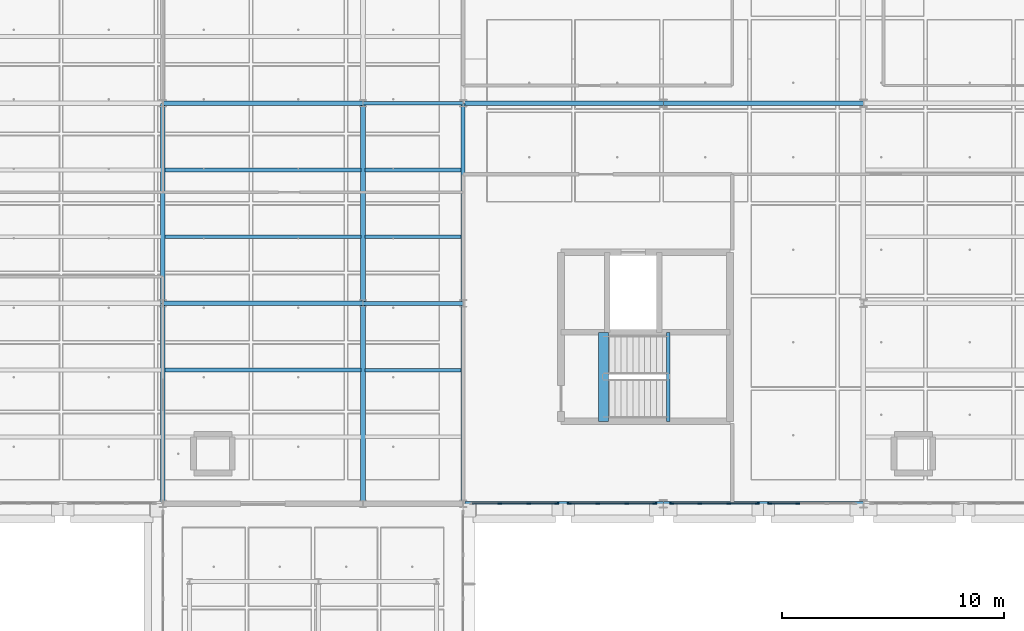
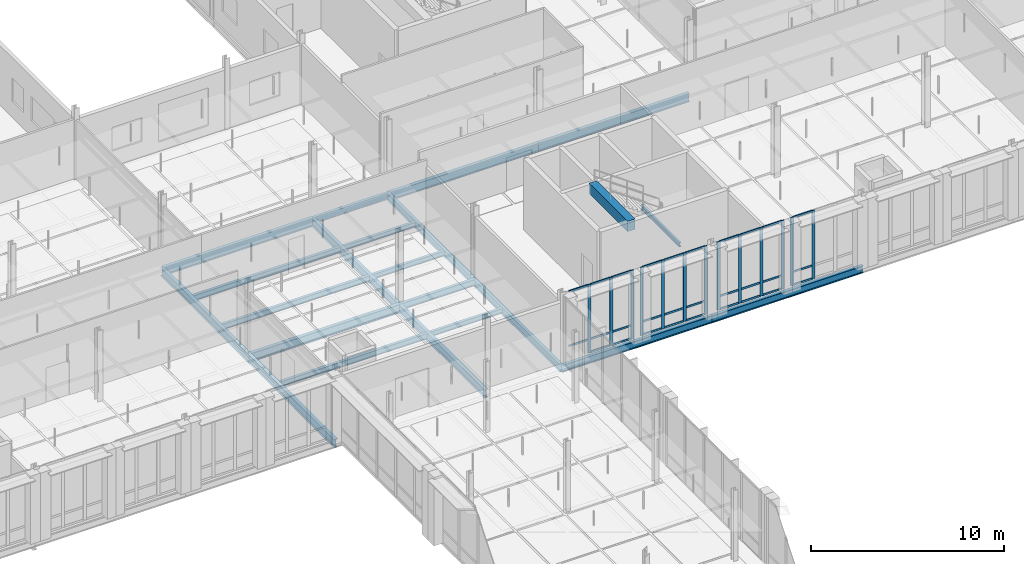
# One storey, part 40 of 130: 42 members, 22 beams, 4 elements without a shape of their own.
"""IFC4 building model written with IfcOpenShell, lengths in metres."""

from ifc_helpers import new_model, si_unit, direction, frame, origin, origin_2d, place, context, subcontext, project, spatial, rectangle, i_section, extrude, material, material_profile, profile_set, type_object, element, aggregate, save


model = new_model("IFC4")

# Units and contexts
model_context = context("Model", 3, precision=1e-05, world=origin(), true_north=direction((0.0, 1.0)))
body_context = subcontext(model_context, "Body", "Model", "MODEL_VIEW")
ifc_project = project(units=[si_unit("LENGTHUNIT", "METRE"), si_unit("AREAUNIT", "SQUARE_METRE"), si_unit("VOLUMEUNIT", "CUBIC_METRE"), si_unit("PLANEANGLEUNIT", "RADIAN"), si_unit("MASSUNIT", "GRAM", prefix="KILO"), si_unit("THERMODYNAMICTEMPERATUREUNIT", "KELVIN"), si_unit("POWERUNIT", "WATT")], contexts=[model_context])

# Site, building, storey
site_placement = place(None, origin())
site = spatial("IfcSite", under=ifc_project, at=site_placement, CompositionType="ELEMENT")
building_placement = place(site_placement, origin())
building = spatial("IfcBuilding", under=site, at=building_placement, Name="Tallowbark Science Centre", CompositionType="ELEMENT")
storey_placement = place(building_placement, frame((0.0, 0.0, 5.39990234375)))
storey = spatial("IfcBuildingStorey", under=building, at=storey_placement, Name="L01", CompositionType="ELEMENT", Elevation=5.39990234375)

# Beams
ifc_material_1 = material(Name="Concrete Grade N40 (40 MPa)", Category="concrete")
ifc_material_profile_1 = material_profile(ifc_material_1, rectangle(XDim=0.449951171875, YDim=0.64990234375, at=origin_2d()), Name="RC450x650")
ifc_profile_set_1 = profile_set([ifc_material_profile_1], Name="Concrete Grade N40 (40 MPa)")
beam_type_1 = type_object("IfcBeamType", Name="BM-GB2-N40", PredefinedType="BEAM", material=ifc_profile_set_1)
beam_1_placement = place(storey_placement, frame((118.81005859375, 75.699951171875, 4.175048828125), z_axis=(0.0, 1.0, 0.0), x_axis=(-1.0, 0.0, 0.0)))
element("IfcBeam", 1, at=beam_1_placement, inside=storey, type_object=beam_type_1, Name="Stair ST-02 Landing Nosing Beam L01", PredefinedType="BEAM", context=body_context, shape_type="SweptSolid", body=[
    extrude(rectangle(XDim=0.449951171875, YDim=0.64990234375, at=origin_2d()), origin(), (0.0, 0.0, 1.0), 3.9951171875),
])
ifc_material_2 = material(Name="Structural Steel Grade 300PLUS (300 MPa)", Category="steel")
ifc_material_profile_2 = material_profile(ifc_material_2, i_section(OverallWidth=0.177734375, OverallDepth=0.406494140625, WebThickness=0.0078125, FlangeThickness=0.0126953125, FilletRadius=0.011474609375, at=origin_2d()), Name="410UB59.7")
ifc_profile_set_2 = profile_set([ifc_material_profile_2], Name="Structural Steel Grade 300PLUS (300 MPa)")
beam_type_2 = type_object("IfcBeamType", Name="BM-UB410", PredefinedType="BEAM", material=ifc_profile_set_2)
for number, where, z_axis, x_axis, name in (
    (2, (108.0, 81.0, -0.383056640625), (1.0, 0.0, 0.0), (0.0, 1.0, 0.0), "Primary Girder GRDX-L01-1080-1125-810"),
    (3, (108.0, 90.0, -0.383056640625), (1.0, 0.0, 0.0), (0.0, 1.0, 0.0), "Primary Girder GRDX-L01-1080-1125-900"),
):
    element("IfcBeam", number, at=place(storey_placement, frame(where, z_axis=z_axis, x_axis=x_axis)), inside=storey, type_object=beam_type_2, Name=name, PredefinedType="BEAM", context=body_context, shape_type="SweptSolid", body=[
        extrude(i_section(OverallWidth=0.177734375, OverallDepth=0.406494140625, WebThickness=0.0078125, FlangeThickness=0.0126953125, FilletRadius=0.011474609375, at=origin_2d()), origin(), (0.0, 0.0, 1.0), 4.5),
    ])
ifc_material_profile_3 = material_profile(ifc_material_2, i_section(OverallWidth=0.208984375, OverallDepth=0.532958984375, WebThickness=0.01025390625, FlangeThickness=0.015625, FilletRadius=0.013916015625, at=origin_2d()), Name="530UB92.4")
ifc_profile_set_3 = profile_set([ifc_material_profile_3], Name="Structural Steel Grade 300PLUS (300 MPa)")
beam_type_3 = type_object("IfcBeamType", Name="BM-UB530A", PredefinedType="BEAM", material=ifc_profile_set_3)
for number, where, z_axis, x_axis, name in (
    (4, (99.0, 81.0, -0.4462890625), (1.0, 0.0, 0.0), (0.0, 1.0, 0.0), "Primary Girder GRDX-L01-990-1080-810"),
    (5, (99.0, 90.0, -0.4462890625), (1.0, 0.0, 0.0), (0.0, 1.0, 0.0), "Primary Girder GRDX-L01-990-1080-900"),
    (6, (112.5, 90.0, -0.4462890625), (1.0, 0.0, 0.0), (0.0, 1.0, 0.0), "Primary Girder GRDX-L01-1125-1215-900"),
    (7, (121.5, 90.0, -0.4462890625), (1.0, 0.0, 0.0), (0.0, 1.0, 0.0), "Primary Girder GRDX-L01-1215-1305-900"),
):
    element("IfcBeam", number, at=place(storey_placement, frame(where, z_axis=z_axis, x_axis=x_axis)), inside=storey, type_object=beam_type_3, Name=name, PredefinedType="BEAM", context=body_context, shape_type="SweptSolid", body=[
        extrude(i_section(OverallWidth=0.208984375, OverallDepth=0.532958984375, WebThickness=0.01025390625, FlangeThickness=0.015625, FilletRadius=0.013916015625, at=origin_2d()), origin(), (0.0, 0.0, 1.0), 9.0),
    ])
ifc_material_profile_4 = material_profile(ifc_material_2, i_section(OverallWidth=0.208740234375, OverallDepth=0.5283203125, WebThickness=0.009521484375, FlangeThickness=0.01318359375, FilletRadius=0.013916015625, at=origin_2d()), Name="530UB82.0")
ifc_profile_set_4 = profile_set([ifc_material_profile_4], Name="Structural Steel Grade 300PLUS (300 MPa)")
beam_type_4 = type_object("IfcBeamType", Name="BM-UB530B", PredefinedType="BEAM", material=ifc_profile_set_4)
for number, where, z_axis, x_axis, name in (
    (8, (99.0, 72.0, -0.444091796875), (0.0, 1.0, 0.0), (-1.0, 0.0, 0.0), "Primary Girder GRDY-L01-990-720-810"),
    (9, (99.0, 81.0, -0.444091796875), (0.0, 1.0, 0.0), (-1.0, 0.0, 0.0), "Primary Girder GRDY-L01-990-810-900"),
    (10, (108.0, 72.0, -0.444091796875), (0.0, 1.0, 0.0), (-1.0, 0.0, 0.0), "Primary Girder GRDY-L01-1080-720-810"),
    (11, (108.0, 81.0, -0.444091796875), (0.0, 1.0, 0.0), (-1.0, 0.0, 0.0), "Primary Girder GRDY-L01-1080-810-900"),
):
    element("IfcBeam", number, at=place(storey_placement, frame(where, z_axis=z_axis, x_axis=x_axis)), inside=storey, type_object=beam_type_4, Name=name, PredefinedType="BEAM", context=body_context, shape_type="SweptSolid", body=[
        extrude(i_section(OverallWidth=0.208740234375, OverallDepth=0.5283203125, WebThickness=0.009521484375, FlangeThickness=0.01318359375, FilletRadius=0.013916015625, at=origin_2d()), origin(), (0.0, 0.0, 1.0), 9.0),
    ])

# Curtain wall, members
ifc_material_3 = material(Name="Unitised Thermally Broken Aluminium and Low-E Double Glazing", Category="aluminium")
curtain_wall_type = type_object("IfcCurtainWallType", Name="CW-SYS-FACADE", PredefinedType="NOTDEFINED", material=ifc_material_3)
curtain_wall_1_placement = place(storey_placement, origin())
curtain_wall_1 = element("IfcCurtainWall", 12, at=curtain_wall_1_placement, inside=storey, type_object=curtain_wall_type, Name="Unitised Curtain Wall OBS-S-112A CW-L01-112", PredefinedType="NOTDEFINED")
ifc_material_4 = material(Name="Anodised Architectural Aluminium Alloy 6063-T6", Category="aluminium")
ifc_material_profile_5 = material_profile(ifc_material_4, rectangle(XDim=0.06494140625, YDim=0.179931640625, at=origin_2d()), Name="ALU65x180")
ifc_profile_set_5 = profile_set([ifc_material_profile_5], Name="Anodised Architectural Aluminium Alloy 6063-T6")
member_type_1 = type_object("IfcMemberType", Name="CWM-MUL-220", PredefinedType="MULLION", material=ifc_profile_set_5)
member_1_placement = place(storey_placement, frame((114.14990234375, 72.0, 0.0), z_axis=(0.0, 0.0, 1.0), x_axis=(0.0, 1.0, 0.0)))
member_1 = element("IfcMember", 13, at=member_1_placement, type_object=member_type_1, Name="CW-01 mullion 2", PredefinedType="MULLION", context=body_context, shape_type="SweptSolid", body=[
    extrude(rectangle(XDim=0.06494140625, YDim=0.179931640625, at=origin_2d()), origin(), (0.0, 0.0, 1.0), 4.320068359375),
])
member_2_placement = place(storey_placement, frame((115.449951171875, 72.0, 0.0), z_axis=(0.0, 0.0, 1.0), x_axis=(0.0, 1.0, 0.0)))
member_2 = element("IfcMember", 14, at=member_2_placement, type_object=member_type_1, Name="CW-01 mullion 3", PredefinedType="MULLION", context=body_context, shape_type="SweptSolid", body=[
    extrude(rectangle(XDim=0.06494140625, YDim=0.179931640625, at=origin_2d()), origin(), (0.0, 0.0, 1.0), 4.320068359375),
])
member_3_placement = place(storey_placement, frame((116.717529296875, 72.0, 0.0), z_axis=(0.0, 0.0, 1.0), x_axis=(0.0, 1.0, 0.0)))
member_3 = element("IfcMember", 15, at=member_3_placement, type_object=member_type_1, Name="CW-01 mullion 4", PredefinedType="MULLION", context=body_context, shape_type="SweptSolid", body=[
    extrude(rectangle(XDim=0.06494140625, YDim=0.179931640625, at=origin_2d()), origin(), (0.0, 0.0, 1.0), 4.320068359375),
])

curtain_wall_2_placement = place(storey_placement, origin())
curtain_wall_2 = element("IfcCurtainWall", 16, at=curtain_wall_2_placement, inside=storey, type_object=curtain_wall_type, Name="Unitised Curtain Wall OBS-S-112B CW-L01-113", PredefinedType="NOTDEFINED")
member_4_placement = place(storey_placement, frame((117.282470703125, 72.0, 0.0), z_axis=(0.0, 0.0, 1.0), x_axis=(0.0, 1.0, 0.0)))
member_4 = element("IfcMember", 17, at=member_4_placement, type_object=member_type_1, Name="CW-01 mullion 1", PredefinedType="MULLION", context=body_context, shape_type="SweptSolid", body=[
    extrude(rectangle(XDim=0.06494140625, YDim=0.179931640625, at=origin_2d()), origin(), (0.0, 0.0, 1.0), 4.320068359375),
])
member_5_placement = place(storey_placement, frame((118.550048828125, 72.0, 0.0), z_axis=(0.0, 0.0, 1.0), x_axis=(0.0, 1.0, 0.0)))
member_5 = element("IfcMember", 18, at=member_5_placement, type_object=member_type_1, Name="CW-01 mullion 2", PredefinedType="MULLION", context=body_context, shape_type="SweptSolid", body=[
    extrude(rectangle(XDim=0.06494140625, YDim=0.179931640625, at=origin_2d()), origin(), (0.0, 0.0, 1.0), 4.320068359375),
])
member_6_placement = place(storey_placement, frame((119.85009765625, 72.0, 0.0), z_axis=(0.0, 0.0, 1.0), x_axis=(0.0, 1.0, 0.0)))
member_6 = element("IfcMember", 19, at=member_6_placement, type_object=member_type_1, Name="CW-01 mullion 3", PredefinedType="MULLION", context=body_context, shape_type="SweptSolid", body=[
    extrude(rectangle(XDim=0.06494140625, YDim=0.179931640625, at=origin_2d()), origin(), (0.0, 0.0, 1.0), 4.320068359375),
])
member_7_placement = place(storey_placement, frame((121.117431640625, 72.0, 0.0), z_axis=(0.0, 0.0, 1.0), x_axis=(0.0, 1.0, 0.0)))
member_7 = element("IfcMember", 20, at=member_7_placement, type_object=member_type_1, Name="CW-01 mullion 4", PredefinedType="MULLION", context=body_context, shape_type="SweptSolid", body=[
    extrude(rectangle(XDim=0.06494140625, YDim=0.179931640625, at=origin_2d()), origin(), (0.0, 0.0, 1.0), 4.320068359375),
])

curtain_wall_3_placement = place(storey_placement, origin())
curtain_wall_3 = element("IfcCurtainWall", 21, at=curtain_wall_3_placement, inside=storey, type_object=curtain_wall_type, Name="Unitised Curtain Wall OBS-S-121A CW-L01-116", PredefinedType="NOTDEFINED")
member_8_placement = place(storey_placement, frame((121.882568359375, 72.0, 0.0), z_axis=(0.0, 0.0, 1.0), x_axis=(0.0, 1.0, 0.0)))
member_8 = element("IfcMember", 22, at=member_8_placement, type_object=member_type_1, Name="CW-01 mullion 1", PredefinedType="MULLION", context=body_context, shape_type="SweptSolid", body=[
    extrude(rectangle(XDim=0.06494140625, YDim=0.179931640625, at=origin_2d()), origin(), (0.0, 0.0, 1.0), 4.320068359375),
])
member_9_placement = place(storey_placement, frame((123.14990234375, 72.0, 0.0), z_axis=(0.0, 0.0, 1.0), x_axis=(0.0, 1.0, 0.0)))
member_9 = element("IfcMember", 23, at=member_9_placement, type_object=member_type_1, Name="CW-01 mullion 2", PredefinedType="MULLION", context=body_context, shape_type="SweptSolid", body=[
    extrude(rectangle(XDim=0.06494140625, YDim=0.179931640625, at=origin_2d()), origin(), (0.0, 0.0, 1.0), 4.320068359375),
])
member_10_placement = place(storey_placement, frame((124.449951171875, 72.0, 0.0), z_axis=(0.0, 0.0, 1.0), x_axis=(0.0, 1.0, 0.0)))
member_10 = element("IfcMember", 24, at=member_10_placement, type_object=member_type_1, Name="CW-01 mullion 3", PredefinedType="MULLION", context=body_context, shape_type="SweptSolid", body=[
    extrude(rectangle(XDim=0.06494140625, YDim=0.179931640625, at=origin_2d()), origin(), (0.0, 0.0, 1.0), 4.320068359375),
])
member_11_placement = place(storey_placement, frame((125.717529296875, 72.0, 0.0), z_axis=(0.0, 0.0, 1.0), x_axis=(0.0, 1.0, 0.0)))
member_11 = element("IfcMember", 25, at=member_11_placement, type_object=member_type_1, Name="CW-01 mullion 4", PredefinedType="MULLION", context=body_context, shape_type="SweptSolid", body=[
    extrude(rectangle(XDim=0.06494140625, YDim=0.179931640625, at=origin_2d()), origin(), (0.0, 0.0, 1.0), 4.320068359375),
])

curtain_wall_4_placement = place(storey_placement, origin())
curtain_wall_4 = element("IfcCurtainWall", 26, at=curtain_wall_4_placement, inside=storey, type_object=curtain_wall_type, Name="Unitised Curtain Wall OBS-S-121B CW-L01-117", PredefinedType="NOTDEFINED")
member_12_placement = place(storey_placement, frame((126.282470703125, 72.0, 0.0), z_axis=(0.0, 0.0, 1.0), x_axis=(0.0, 1.0, 0.0)))
member_12 = element("IfcMember", 27, at=member_12_placement, type_object=member_type_1, Name="CW-01 mullion 1", PredefinedType="MULLION", context=body_context, shape_type="SweptSolid", body=[
    extrude(rectangle(XDim=0.06494140625, YDim=0.179931640625, at=origin_2d()), origin(), (0.0, 0.0, 1.0), 4.320068359375),
])
member_13_placement = place(storey_placement, frame((127.550048828125, 72.0, 0.0), z_axis=(0.0, 0.0, 1.0), x_axis=(0.0, 1.0, 0.0)))
member_13 = element("IfcMember", 28, at=member_13_placement, type_object=member_type_1, Name="CW-01 mullion 2", PredefinedType="MULLION", context=body_context, shape_type="SweptSolid", body=[
    extrude(rectangle(XDim=0.06494140625, YDim=0.179931640625, at=origin_2d()), origin(), (0.0, 0.0, 1.0), 4.320068359375),
])

# Member
ifc_material_profile_6 = material_profile(ifc_material_4, rectangle(XDim=0.054931640625, YDim=0.1201171875, at=origin_2d()), Name="ALU55x120")
ifc_profile_set_6 = profile_set([ifc_material_profile_6], Name="Anodised Architectural Aluminium Alloy 6063-T6")
member_type_2 = type_object("IfcMemberType", Name="CWM-TRN-150", PredefinedType="USERDEFINED", material=ifc_profile_set_6)
member_14_placement = place(storey_placement, frame((112.9150390625, 72.0, 0.85009765625), z_axis=(1.0, 0.0, 0.0), x_axis=(0.0, 1.0, 0.0)))
member_14 = element("IfcMember", 29, at=member_14_placement, type_object=member_type_2, Name="CW-01 transom 1.2", ObjectType="TRANSOM", PredefinedType="USERDEFINED", context=body_context, shape_type="SweptSolid", body=[
    extrude(rectangle(XDim=0.054931640625, YDim=0.1201171875, at=origin_2d()), origin(), (0.0, 0.0, 1.0), 1.202392578125),
])

member_15_placement = place(storey_placement, frame((112.9150390625, 72.0, 4.29248046875), z_axis=(1.0, 0.0, 0.0), x_axis=(0.0, 1.0, 0.0)))
member_15 = element("IfcMember", 30, at=member_15_placement, type_object=member_type_2, Name="CW-01 transom 1.3", ObjectType="TRANSOM", PredefinedType="USERDEFINED", context=body_context, shape_type="SweptSolid", body=[
    extrude(rectangle(XDim=0.054931640625, YDim=0.1201171875, at=origin_2d()), origin(), (0.0, 0.0, 1.0), 1.202392578125),
])

member_16_placement = place(storey_placement, frame((114.1826171875, 72.0, 0.027587890625), z_axis=(1.0, 0.0, 0.0), x_axis=(0.0, 1.0, 0.0)))
member_16 = element("IfcMember", 31, at=member_16_placement, type_object=member_type_2, Name="CW-01 transom 2.1", ObjectType="TRANSOM", PredefinedType="USERDEFINED", context=body_context, shape_type="SweptSolid", body=[
    extrude(rectangle(XDim=0.054931640625, YDim=0.1201171875, at=origin_2d()), origin(), (0.0, 0.0, 1.0), 1.23486328125),
])

member_17_placement = place(storey_placement, frame((114.1826171875, 72.0, 0.85009765625), z_axis=(1.0, 0.0, 0.0), x_axis=(0.0, 1.0, 0.0)))
member_17 = element("IfcMember", 32, at=member_17_placement, type_object=member_type_2, Name="CW-01 transom 2.2", ObjectType="TRANSOM", PredefinedType="USERDEFINED", context=body_context, shape_type="SweptSolid", body=[
    extrude(rectangle(XDim=0.054931640625, YDim=0.1201171875, at=origin_2d()), origin(), (0.0, 0.0, 1.0), 1.23486328125),
])

member_18_placement = place(storey_placement, frame((114.1826171875, 72.0, 4.29248046875), z_axis=(1.0, 0.0, 0.0), x_axis=(0.0, 1.0, 0.0)))
member_18 = element("IfcMember", 33, at=member_18_placement, type_object=member_type_2, Name="CW-01 transom 2.3", ObjectType="TRANSOM", PredefinedType="USERDEFINED", context=body_context, shape_type="SweptSolid", body=[
    extrude(rectangle(XDim=0.054931640625, YDim=0.1201171875, at=origin_2d()), origin(), (0.0, 0.0, 1.0), 1.23486328125),
])

member_19_placement = place(storey_placement, frame((115.482421875, 72.0, 0.027587890625), z_axis=(1.0, 0.0, 0.0), x_axis=(0.0, 1.0, 0.0)))
member_19 = element("IfcMember", 34, at=member_19_placement, type_object=member_type_2, Name="CW-01 transom 3.1", ObjectType="TRANSOM", PredefinedType="USERDEFINED", context=body_context, shape_type="SweptSolid", body=[
    extrude(rectangle(XDim=0.054931640625, YDim=0.1201171875, at=origin_2d()), origin(), (0.0, 0.0, 1.0), 1.20263671875),
])

member_20_placement = place(storey_placement, frame((115.482421875, 72.0, 0.85009765625), z_axis=(1.0, 0.0, 0.0), x_axis=(0.0, 1.0, 0.0)))
member_20 = element("IfcMember", 35, at=member_20_placement, type_object=member_type_2, Name="CW-01 transom 3.2", ObjectType="TRANSOM", PredefinedType="USERDEFINED", context=body_context, shape_type="SweptSolid", body=[
    extrude(rectangle(XDim=0.054931640625, YDim=0.1201171875, at=origin_2d()), origin(), (0.0, 0.0, 1.0), 1.20263671875),
])

member_21_placement = place(storey_placement, frame((115.482421875, 72.0, 4.29248046875), z_axis=(1.0, 0.0, 0.0), x_axis=(0.0, 1.0, 0.0)))
member_21 = element("IfcMember", 36, at=member_21_placement, type_object=member_type_2, Name="CW-01 transom 3.3", ObjectType="TRANSOM", PredefinedType="USERDEFINED", context=body_context, shape_type="SweptSolid", body=[
    extrude(rectangle(XDim=0.054931640625, YDim=0.1201171875, at=origin_2d()), origin(), (0.0, 0.0, 1.0), 1.20263671875),
])

aggregate(curtain_wall_1, [member_1, member_2, member_3, member_14, member_15, member_16, member_17, member_18, member_19, member_20, member_21])

member_22_placement = place(storey_placement, frame((117.31494140625, 72.0, 0.027587890625), z_axis=(1.0, 0.0, 0.0), x_axis=(0.0, 1.0, 0.0)))
member_22 = element("IfcMember", 37, at=member_22_placement, type_object=member_type_2, Name="CW-01 transom 1.1", ObjectType="TRANSOM", PredefinedType="USERDEFINED", context=body_context, shape_type="SweptSolid", body=[
    extrude(rectangle(XDim=0.054931640625, YDim=0.1201171875, at=origin_2d()), origin(), (0.0, 0.0, 1.0), 1.20263671875),
])

member_23_placement = place(storey_placement, frame((117.31494140625, 72.0, 0.85009765625), z_axis=(1.0, 0.0, 0.0), x_axis=(0.0, 1.0, 0.0)))
member_23 = element("IfcMember", 38, at=member_23_placement, type_object=member_type_2, Name="CW-01 transom 1.2", ObjectType="TRANSOM", PredefinedType="USERDEFINED", context=body_context, shape_type="SweptSolid", body=[
    extrude(rectangle(XDim=0.054931640625, YDim=0.1201171875, at=origin_2d()), origin(), (0.0, 0.0, 1.0), 1.20263671875),
])

member_24_placement = place(storey_placement, frame((117.31494140625, 72.0, 4.29248046875), z_axis=(1.0, 0.0, 0.0), x_axis=(0.0, 1.0, 0.0)))
member_24 = element("IfcMember", 39, at=member_24_placement, type_object=member_type_2, Name="CW-01 transom 1.3", ObjectType="TRANSOM", PredefinedType="USERDEFINED", context=body_context, shape_type="SweptSolid", body=[
    extrude(rectangle(XDim=0.054931640625, YDim=0.1201171875, at=origin_2d()), origin(), (0.0, 0.0, 1.0), 1.20263671875),
])

member_25_placement = place(storey_placement, frame((118.58251953125, 72.0, 0.027587890625), z_axis=(1.0, 0.0, 0.0), x_axis=(0.0, 1.0, 0.0)))
member_25 = element("IfcMember", 40, at=member_25_placement, type_object=member_type_2, Name="CW-01 transom 2.1", ObjectType="TRANSOM", PredefinedType="USERDEFINED", context=body_context, shape_type="SweptSolid", body=[
    extrude(rectangle(XDim=0.054931640625, YDim=0.1201171875, at=origin_2d()), origin(), (0.0, 0.0, 1.0), 1.23486328125),
])

member_26_placement = place(storey_placement, frame((118.58251953125, 72.0, 0.85009765625), z_axis=(1.0, 0.0, 0.0), x_axis=(0.0, 1.0, 0.0)))
member_26 = element("IfcMember", 41, at=member_26_placement, type_object=member_type_2, Name="CW-01 transom 2.2", ObjectType="TRANSOM", PredefinedType="USERDEFINED", context=body_context, shape_type="SweptSolid", body=[
    extrude(rectangle(XDim=0.054931640625, YDim=0.1201171875, at=origin_2d()), origin(), (0.0, 0.0, 1.0), 1.23486328125),
])

member_27_placement = place(storey_placement, frame((118.58251953125, 72.0, 4.29248046875), z_axis=(1.0, 0.0, 0.0), x_axis=(0.0, 1.0, 0.0)))
member_27 = element("IfcMember", 42, at=member_27_placement, type_object=member_type_2, Name="CW-01 transom 2.3", ObjectType="TRANSOM", PredefinedType="USERDEFINED", context=body_context, shape_type="SweptSolid", body=[
    extrude(rectangle(XDim=0.054931640625, YDim=0.1201171875, at=origin_2d()), origin(), (0.0, 0.0, 1.0), 1.23486328125),
])

member_28_placement = place(storey_placement, frame((119.882568359375, 72.0, 0.027587890625), z_axis=(1.0, 0.0, 0.0), x_axis=(0.0, 1.0, 0.0)))
member_28 = element("IfcMember", 43, at=member_28_placement, type_object=member_type_2, Name="CW-01 transom 3.1", ObjectType="TRANSOM", PredefinedType="USERDEFINED", context=body_context, shape_type="SweptSolid", body=[
    extrude(rectangle(XDim=0.054931640625, YDim=0.1201171875, at=origin_2d()), origin(), (0.0, 0.0, 1.0), 1.202392578125),
])

member_29_placement = place(storey_placement, frame((119.882568359375, 72.0, 0.85009765625), z_axis=(1.0, 0.0, 0.0), x_axis=(0.0, 1.0, 0.0)))
member_29 = element("IfcMember", 44, at=member_29_placement, type_object=member_type_2, Name="CW-01 transom 3.2", ObjectType="TRANSOM", PredefinedType="USERDEFINED", context=body_context, shape_type="SweptSolid", body=[
    extrude(rectangle(XDim=0.054931640625, YDim=0.1201171875, at=origin_2d()), origin(), (0.0, 0.0, 1.0), 1.202392578125),
])

member_30_placement = place(storey_placement, frame((119.882568359375, 72.0, 4.29248046875), z_axis=(1.0, 0.0, 0.0), x_axis=(0.0, 1.0, 0.0)))
member_30 = element("IfcMember", 45, at=member_30_placement, type_object=member_type_2, Name="CW-01 transom 3.3", ObjectType="TRANSOM", PredefinedType="USERDEFINED", context=body_context, shape_type="SweptSolid", body=[
    extrude(rectangle(XDim=0.054931640625, YDim=0.1201171875, at=origin_2d()), origin(), (0.0, 0.0, 1.0), 1.202392578125),
])

aggregate(curtain_wall_2, [member_4, member_5, member_6, member_7, member_22, member_23, member_24, member_25, member_26, member_27, member_28, member_29, member_30])

member_31_placement = place(storey_placement, frame((121.9150390625, 72.0, 0.027587890625), z_axis=(1.0, 0.0, 0.0), x_axis=(0.0, 1.0, 0.0)))
member_31 = element("IfcMember", 46, at=member_31_placement, type_object=member_type_2, Name="CW-01 transom 1.1", ObjectType="TRANSOM", PredefinedType="USERDEFINED", context=body_context, shape_type="SweptSolid", body=[
    extrude(rectangle(XDim=0.054931640625, YDim=0.1201171875, at=origin_2d()), origin(), (0.0, 0.0, 1.0), 1.202392578125),
])

member_32_placement = place(storey_placement, frame((121.9150390625, 72.0, 0.85009765625), z_axis=(1.0, 0.0, 0.0), x_axis=(0.0, 1.0, 0.0)))
member_32 = element("IfcMember", 47, at=member_32_placement, type_object=member_type_2, Name="CW-01 transom 1.2", ObjectType="TRANSOM", PredefinedType="USERDEFINED", context=body_context, shape_type="SweptSolid", body=[
    extrude(rectangle(XDim=0.054931640625, YDim=0.1201171875, at=origin_2d()), origin(), (0.0, 0.0, 1.0), 1.202392578125),
])

member_33_placement = place(storey_placement, frame((121.9150390625, 72.0, 4.29248046875), z_axis=(1.0, 0.0, 0.0), x_axis=(0.0, 1.0, 0.0)))
member_33 = element("IfcMember", 48, at=member_33_placement, type_object=member_type_2, Name="CW-01 transom 1.3", ObjectType="TRANSOM", PredefinedType="USERDEFINED", context=body_context, shape_type="SweptSolid", body=[
    extrude(rectangle(XDim=0.054931640625, YDim=0.1201171875, at=origin_2d()), origin(), (0.0, 0.0, 1.0), 1.202392578125),
])

member_34_placement = place(storey_placement, frame((123.1826171875, 72.0, 0.027587890625), z_axis=(1.0, 0.0, 0.0), x_axis=(0.0, 1.0, 0.0)))
member_34 = element("IfcMember", 49, at=member_34_placement, type_object=member_type_2, Name="CW-01 transom 2.1", ObjectType="TRANSOM", PredefinedType="USERDEFINED", context=body_context, shape_type="SweptSolid", body=[
    extrude(rectangle(XDim=0.054931640625, YDim=0.1201171875, at=origin_2d()), origin(), (0.0, 0.0, 1.0), 1.23486328125),
])

member_35_placement = place(storey_placement, frame((123.1826171875, 72.0, 0.85009765625), z_axis=(1.0, 0.0, 0.0), x_axis=(0.0, 1.0, 0.0)))
member_35 = element("IfcMember", 50, at=member_35_placement, type_object=member_type_2, Name="CW-01 transom 2.2", ObjectType="TRANSOM", PredefinedType="USERDEFINED", context=body_context, shape_type="SweptSolid", body=[
    extrude(rectangle(XDim=0.054931640625, YDim=0.1201171875, at=origin_2d()), origin(), (0.0, 0.0, 1.0), 1.23486328125),
])

member_36_placement = place(storey_placement, frame((123.1826171875, 72.0, 4.29248046875), z_axis=(1.0, 0.0, 0.0), x_axis=(0.0, 1.0, 0.0)))
member_36 = element("IfcMember", 51, at=member_36_placement, type_object=member_type_2, Name="CW-01 transom 2.3", ObjectType="TRANSOM", PredefinedType="USERDEFINED", context=body_context, shape_type="SweptSolid", body=[
    extrude(rectangle(XDim=0.054931640625, YDim=0.1201171875, at=origin_2d()), origin(), (0.0, 0.0, 1.0), 1.23486328125),
])

member_37_placement = place(storey_placement, frame((124.482421875, 72.0, 0.027587890625), z_axis=(1.0, 0.0, 0.0), x_axis=(0.0, 1.0, 0.0)))
member_37 = element("IfcMember", 52, at=member_37_placement, type_object=member_type_2, Name="CW-01 transom 3.1", ObjectType="TRANSOM", PredefinedType="USERDEFINED", context=body_context, shape_type="SweptSolid", body=[
    extrude(rectangle(XDim=0.054931640625, YDim=0.1201171875, at=origin_2d()), origin(), (0.0, 0.0, 1.0), 1.20263671875),
])

member_38_placement = place(storey_placement, frame((124.482421875, 72.0, 0.85009765625), z_axis=(1.0, 0.0, 0.0), x_axis=(0.0, 1.0, 0.0)))
member_38 = element("IfcMember", 53, at=member_38_placement, type_object=member_type_2, Name="CW-01 transom 3.2", ObjectType="TRANSOM", PredefinedType="USERDEFINED", context=body_context, shape_type="SweptSolid", body=[
    extrude(rectangle(XDim=0.054931640625, YDim=0.1201171875, at=origin_2d()), origin(), (0.0, 0.0, 1.0), 1.20263671875),
])

member_39_placement = place(storey_placement, frame((124.482421875, 72.0, 4.29248046875), z_axis=(1.0, 0.0, 0.0), x_axis=(0.0, 1.0, 0.0)))
member_39 = element("IfcMember", 54, at=member_39_placement, type_object=member_type_2, Name="CW-01 transom 3.3", ObjectType="TRANSOM", PredefinedType="USERDEFINED", context=body_context, shape_type="SweptSolid", body=[
    extrude(rectangle(XDim=0.054931640625, YDim=0.1201171875, at=origin_2d()), origin(), (0.0, 0.0, 1.0), 1.20263671875),
])

aggregate(curtain_wall_3, [member_8, member_9, member_10, member_11, member_31, member_32, member_33, member_34, member_35, member_36, member_37, member_38, member_39])

member_40_placement = place(storey_placement, frame((126.31494140625, 72.0, 0.027587890625), z_axis=(1.0, 0.0, 0.0), x_axis=(0.0, 1.0, 0.0)))
member_40 = element("IfcMember", 55, at=member_40_placement, type_object=member_type_2, Name="CW-01 transom 1.1", ObjectType="TRANSOM", PredefinedType="USERDEFINED", context=body_context, shape_type="SweptSolid", body=[
    extrude(rectangle(XDim=0.054931640625, YDim=0.1201171875, at=origin_2d()), origin(), (0.0, 0.0, 1.0), 1.20263671875),
])

member_41_placement = place(storey_placement, frame((126.31494140625, 72.0, 0.85009765625), z_axis=(1.0, 0.0, 0.0), x_axis=(0.0, 1.0, 0.0)))
member_41 = element("IfcMember", 56, at=member_41_placement, type_object=member_type_2, Name="CW-01 transom 1.2", ObjectType="TRANSOM", PredefinedType="USERDEFINED", context=body_context, shape_type="SweptSolid", body=[
    extrude(rectangle(XDim=0.054931640625, YDim=0.1201171875, at=origin_2d()), origin(), (0.0, 0.0, 1.0), 1.20263671875),
])

member_42_placement = place(storey_placement, frame((126.31494140625, 72.0, 4.29248046875), z_axis=(1.0, 0.0, 0.0), x_axis=(0.0, 1.0, 0.0)))
member_42 = element("IfcMember", 57, at=member_42_placement, type_object=member_type_2, Name="CW-01 transom 1.3", ObjectType="TRANSOM", PredefinedType="USERDEFINED", context=body_context, shape_type="SweptSolid", body=[
    extrude(rectangle(XDim=0.054931640625, YDim=0.1201171875, at=origin_2d()), origin(), (0.0, 0.0, 1.0), 1.20263671875),
])

aggregate(curtain_wall_4, [member_12, member_13, member_40, member_41, member_42])

# Beams
ifc_material_profile_7 = material_profile(ifc_material_2, i_section(OverallWidth=0.146484375, OverallDepth=0.256103515625, WebThickness=0.00634765625, FlangeThickness=0.010986328125, FilletRadius=0.0087890625, at=origin_2d()), Name="250UB37.3")
ifc_profile_set_7 = profile_set([ifc_material_profile_7], Name="Structural Steel Grade 300PLUS (300 MPa)")
beam_type_5 = type_object("IfcBeamType", Name="JST-UB250", PredefinedType="JOIST", material=ifc_profile_set_7)
beam_2_placement = place(storey_placement, frame((121.72509765625, 75.699951171875, 1.922119140625), z_axis=(0.0, 1.0, 0.0), x_axis=(-1.0, 0.0, 0.0)))
element("IfcBeam", 58, at=beam_2_placement, inside=storey, type_object=beam_type_5, Name="Stair ST-02 Half-Landing Trimmer L01", PredefinedType="JOIST", context=body_context, shape_type="SweptSolid", body=[
    extrude(i_section(OverallWidth=0.146484375, OverallDepth=0.256103515625, WebThickness=0.00634765625, FlangeThickness=0.010986328125, FilletRadius=0.0087890625, at=origin_2d()), origin(), (0.0, 0.0, 1.0), 3.9951171875),
])
ifc_material_profile_8 = material_profile(ifc_material_2, i_section(OverallWidth=0.166015625, OverallDepth=0.30712890625, WebThickness=0.006591796875, FlangeThickness=0.01171875, FilletRadius=0.011474609375, at=origin_2d()), Name="310UB46.2")
ifc_profile_set_8 = profile_set([ifc_material_profile_8], Name="Structural Steel Grade 300PLUS (300 MPa)")
beam_type_6 = type_object("IfcBeamType", Name="JST-UB310", PredefinedType="JOIST", material=ifc_profile_set_8)
for number, where, z_axis, x_axis, name in (
    (59, (108.0849609375, 78.0, -0.33349609375), (1.0, 0.0, 0.0), (0.0, 1.0, 0.0), "Composite Floor Joist JSTX-L01-1080-780"),
    (60, (108.0849609375, 84.0, -0.33349609375), (1.0, 0.0, 0.0), (0.0, 1.0, 0.0), "Composite Floor Joist JSTX-L01-1080-840"),
    (61, (108.0849609375, 87.0, -0.33349609375), (1.0, 0.0, 0.0), (0.0, 1.0, 0.0), "Composite Floor Joist JSTX-L01-1080-870"),
):
    element("IfcBeam", number, at=place(storey_placement, frame(where, z_axis=z_axis, x_axis=x_axis)), inside=storey, type_object=beam_type_6, Name=name, PredefinedType="JOIST", context=body_context, shape_type="SweptSolid", body=[
        extrude(i_section(OverallWidth=0.166015625, OverallDepth=0.30712890625, WebThickness=0.006591796875, FlangeThickness=0.01171875, FilletRadius=0.011474609375, at=origin_2d()), origin(), (0.0, 0.0, 1.0), 4.330078125),
    ])
ifc_material_profile_9 = material_profile(ifc_material_2, i_section(OverallWidth=0.172119140625, OverallDepth=0.358642578125, WebThickness=0.008056640625, FlangeThickness=0.012939453125, FilletRadius=0.011474609375, at=origin_2d()), Name="360UB56.7")
ifc_profile_set_9 = profile_set([ifc_material_profile_9], Name="Structural Steel Grade 300PLUS (300 MPa)")
beam_type_7 = type_object("IfcBeamType", Name="JST-UB360", PredefinedType="JOIST", material=ifc_profile_set_9)
for number, where, z_axis, x_axis, name in (
    (62, (99.0849609375, 78.0, -0.359130859375), (1.0, 0.0, 0.0), (0.0, 1.0, 0.0), "Composite Floor Joist JSTX-L01-990-780"),
    (63, (99.0849609375, 84.0, -0.359130859375), (1.0, 0.0, 0.0), (0.0, 1.0, 0.0), "Composite Floor Joist JSTX-L01-990-840"),
    (64, (99.0849609375, 87.0, -0.359130859375), (1.0, 0.0, 0.0), (0.0, 1.0, 0.0), "Composite Floor Joist JSTX-L01-990-870"),
):
    element("IfcBeam", number, at=place(storey_placement, frame(where, z_axis=z_axis, x_axis=x_axis)), inside=storey, type_object=beam_type_7, Name=name, PredefinedType="JOIST", context=body_context, shape_type="SweptSolid", body=[
        extrude(i_section(OverallWidth=0.172119140625, OverallDepth=0.358642578125, WebThickness=0.008056640625, FlangeThickness=0.012939453125, FilletRadius=0.011474609375, at=origin_2d()), origin(), (0.0, 0.0, 1.0), 8.830078125),
    ])
ifc_material_profile_10 = material_profile(ifc_material_2, i_section(OverallWidth=0.18994140625, OverallDepth=0.453857421875, WebThickness=0.008544921875, FlangeThickness=0.0126953125, FilletRadius=0.011474609375, at=origin_2d()), Name="460UB67.1")
ifc_profile_set_10 = profile_set([ifc_material_profile_10], Name="Structural Steel Grade 300PLUS (300 MPa)")
beam_type_8 = type_object("IfcBeamType", Name="SPN-UB460", PredefinedType="SPANDREL", material=ifc_profile_set_10)
for number, where, z_axis, x_axis, name in (
    (65, (112.5, 72.0, -0.40673828125), (1.0, 0.0, 0.0), (0.0, 1.0, 0.0), "Primary Girder GRDX-L01-1125-1215-720"),
    (66, (121.5, 72.0, -0.40673828125), (1.0, 0.0, 0.0), (0.0, 1.0, 0.0), "Primary Girder GRDX-L01-1215-1305-720"),
    (67, (112.5, 72.0, -0.40673828125), (0.0, 1.0, 0.0), (-1.0, 0.0, 0.0), "Primary Girder GRDY-L01-1125-720-810"),
    (68, (112.5, 81.0, -0.40673828125), (0.0, 1.0, 0.0), (-1.0, 0.0, 0.0), "Primary Girder GRDY-L01-1125-810-900"),
):
    element("IfcBeam", number, at=place(storey_placement, frame(where, z_axis=z_axis, x_axis=x_axis)), inside=storey, type_object=beam_type_8, Name=name, PredefinedType="SPANDREL", context=body_context, shape_type="SweptSolid", body=[
        extrude(i_section(OverallWidth=0.18994140625, OverallDepth=0.453857421875, WebThickness=0.008544921875, FlangeThickness=0.0126953125, FilletRadius=0.011474609375, at=origin_2d()), origin(), (0.0, 0.0, 1.0), 9.0),
    ])

save(model, "model.ifc")
